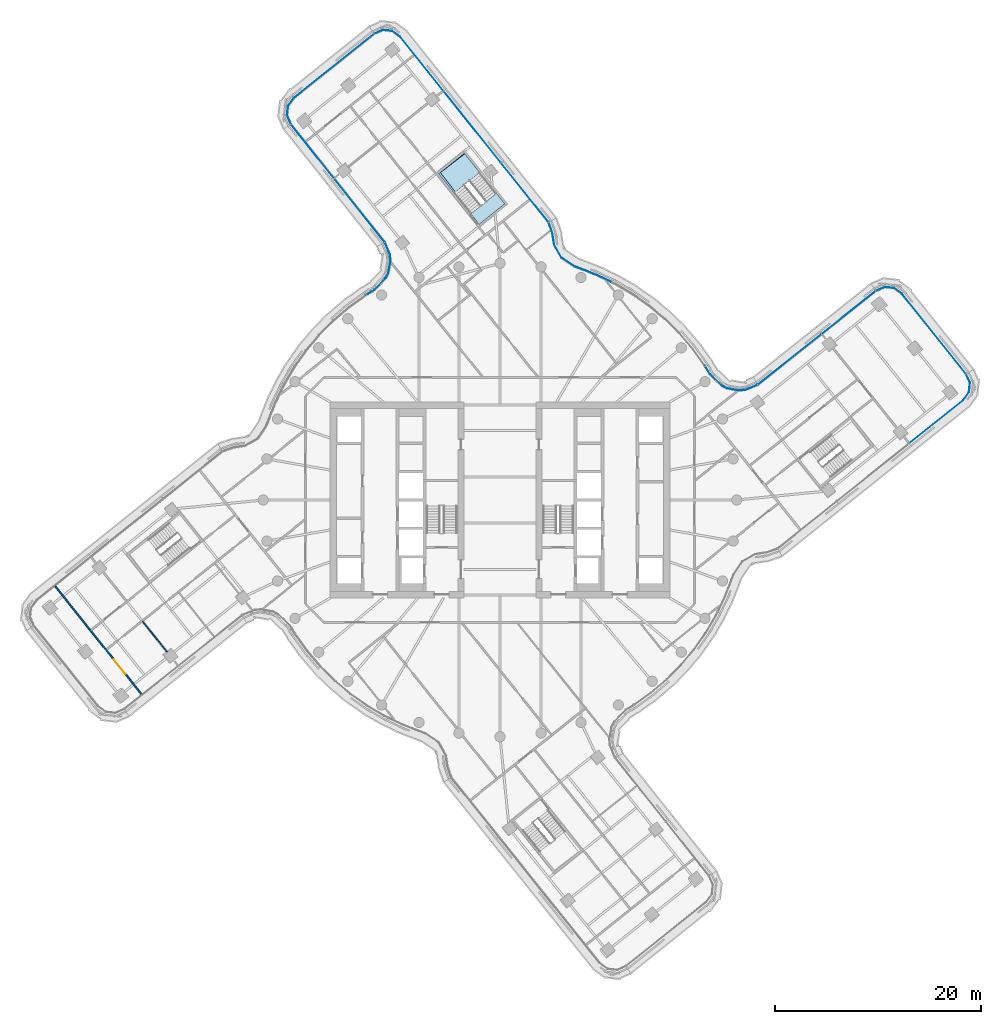
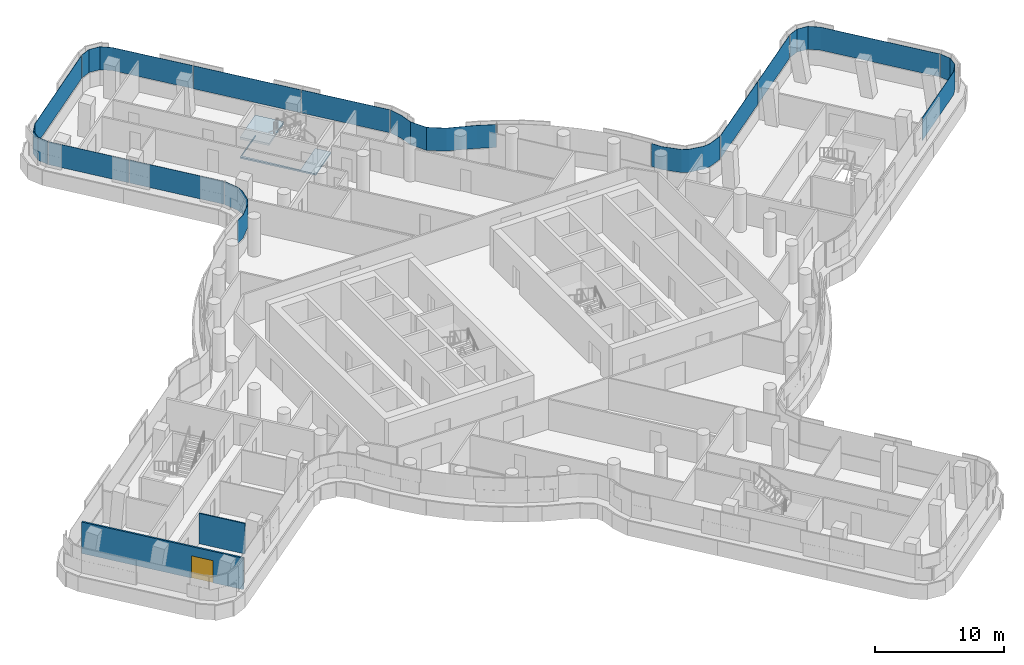
# One storey, part 18 of 31: 13 plates, 2 slabs, 2 walls, 1 door, 1 opening, 9 elements without a shape of their own.
"""IFC4 building model written with IfcOpenShell, lengths in metres."""

from ifc_helpers import new_model, si_unit, direction, frame, frame_2d, origin, place, context, subcontext, project, spatial, polyline, rectangle, outline, extrude, material, layer, layer_set, type_object, element, fill, aggregate, save


model = new_model("IFC4")

# Units and contexts
model_context = context("Model", 3, precision=1e-05, world=origin(), true_north=direction((0.0, 1.0)))
body_context = subcontext(model_context, "Body", "Model", "MODEL_VIEW")
ifc_project = project(units=[si_unit("LENGTHUNIT", "METRE"), si_unit("AREAUNIT", "SQUARE_METRE"), si_unit("VOLUMEUNIT", "CUBIC_METRE"), si_unit("PLANEANGLEUNIT", "RADIAN"), si_unit("MASSUNIT", "GRAM", prefix="KILO")], contexts=[model_context])

# Site, building, storey
site_placement = place(None, origin())
site = spatial("IfcSite", under=ifc_project, at=site_placement, CompositionType="ELEMENT")
building_placement = place(site_placement, origin())
building = spatial("IfcBuilding", under=site, at=building_placement, Name="Tamarind Cross Interchange Tower", CompositionType="ELEMENT")
storey_placement = place(building_placement, frame((0.0, 0.0, 174.25)))
storey = spatial("IfcBuildingStorey", under=building, at=storey_placement, Name="L43", CompositionType="ELEMENT", Elevation=174.25)

# Slab
ifc_material_1 = material(Name="Concrete C35", Category="concrete")
ifc_layer_1 = layer(ifc_material_1, 0.139892578125)
ifc_layer_set_1 = layer_set([ifc_layer_1], Name="Concrete C35")
slab_type_1 = type_object("IfcSlabType", Name="Composite slab 140 Concrete C35", PredefinedType="FLOOR", material=ifc_layer_set_1)
slab_1_placement = place(storey_placement, frame((0.0, 0.0, -0.139892578125)))
element("IfcSlab", 1, at=slab_1_placement, inside=storey, type_object=slab_type_1, Name="Floor slab L43", PredefinedType="FLOOR", context=body_context, shape_type="SweptSolid", body=[
    extrude(outline(polyline([(-5.78759765625, 31.805908203125), (-3.415283203125, 33.633544921875), (-3.466552734375, 33.697509765625), (-5.965576171875, 31.698486328125), (-2.030029296875, 26.779052734375), (0.46875, 28.77783203125), (-0.350830078125, 29.802490234375), (-2.759521484375, 27.87548828125), (-5.78759765625, 31.805908203125)])), origin(), (0.0, 0.0, 1.0), 0.139892578125),
])

# Stair, slab
ifc_material_2 = material(Name="Exit stair")
stair_type = type_object("IfcStairType", Name="Exit stair", PredefinedType="HALF_TURN_STAIR", material=ifc_material_2)
stair_placement = place(storey_placement, origin())
stair = element("IfcStair", 2, at=stair_placement, inside=storey, type_object=stair_type, Name="L43 exit stair ST4", PredefinedType="HALF_TURN_STAIR")
ifc_material_3 = material(Name="Concrete C40", Category="concrete")
ifc_layer_2 = layer(ifc_material_3, 0.199951171875)
ifc_layer_set_2 = layer_set([ifc_layer_2], Name="Concrete C40")
slab_type_2 = type_object("IfcSlabType", Name="Stair landing", PredefinedType="LANDING", material=ifc_layer_set_2)
slab_2_placement = place(storey_placement, frame((0.0, 0.0, 1.675048828125)))
slab_2 = element("IfcSlab", 3, at=slab_2_placement, type_object=slab_type_2, Name="ST4 landing 1", PredefinedType="LANDING", context=body_context, shape_type="SweptSolid", body=[
    extrude(outline(polyline([(-1.9599609375, 31.81396484375), (-3.466552734375, 33.697509765625), (-5.965576171875, 31.69873046875), (-4.458740234375, 29.815185546875), (-1.9599609375, 31.81396484375)])), origin(), (0.0, 0.0, 1.0), 0.199951171875),
])
aggregate(stair, [slab_2])

# Curtain wall, plate
ifc_material_4 = material(Name="Aluminium 6063-T6", Category="aluminium")
ifc_layer_3 = layer(ifc_material_4, 0.159912109375)
ifc_layer_set_3 = layer_set([ifc_layer_3], Name="Aluminium 6063-T6")
curtain_wall_type = type_object("IfcCurtainWallType", Name="Office curtain wall, 9.0 m bays", PredefinedType="NOTDEFINED", material=ifc_layer_set_3)
curtain_wall_1_placement = place(storey_placement, origin())
curtain_wall_1 = element("IfcCurtainWall", 4, at=curtain_wall_1_placement, inside=storey, type_object=curtain_wall_type, Name="CWS-L43-07", PredefinedType="NOTDEFINED")
ifc_material_5 = material(Name="Laminated low-e glass 8+1.52+8", Category="glass")
ifc_layer_4 = layer(ifc_material_5, 0.028076171875)
ifc_layer_set_4 = layer_set([ifc_layer_4], Name="Laminated low-e glass 8+1.52+8")
plate_type = type_object("IfcPlateType", Name="Vision panel CW1", PredefinedType="CURTAIN_PANEL", material=ifc_layer_set_4)
plate_1_placement = place(storey_placement, frame((0.0, 0.0, 1.39990234375)))
plate_1 = element("IfcPlate", 5, at=plate_1_placement, type_object=plate_type, Name="CWP-L43-07-02", PredefinedType="CURTAIN_PANEL", context=body_context, shape_type="SweptSolid", body=[
    extrude(outline(polyline([(39.764892578125, 5.520751953125), (44.984375, 9.696044921875), (45.547119140625, 10.4609375), (45.64892578125, 11.3759765625), (45.279052734375, 12.22021484375), (45.3046875, 12.2314453125), (45.677490234375, 11.38037109375), (45.57421875, 10.450439453125), (45.004638671875, 9.676513671875), (39.782470703125, 5.4990234375), (39.764892578125, 5.520751953125)])), origin(), (0.0, 0.0, 1.0), 2.170166015625),
])
aggregate(curtain_wall_1, [plate_1])

curtain_wall_2_placement = place(storey_placement, origin())
curtain_wall_2 = element("IfcCurtainWall", 6, at=curtain_wall_2_placement, inside=storey, type_object=curtain_wall_type, Name="CWS-L43-08", PredefinedType="NOTDEFINED")
plate_2_placement = place(storey_placement, frame((0.0, 0.0, 1.39990234375)))
plate_2 = element("IfcPlate", 7, at=plate_2_placement, type_object=plate_type, Name="CWP-L43-08-00", PredefinedType="CURTAIN_PANEL", context=body_context, shape_type="SweptSolid", body=[
    extrude(outline(polyline([(45.250244140625, 12.267822265625), (39.056396484375, 20.0107421875), (38.291259765625, 20.57373046875), (37.37646484375, 20.67529296875), (36.531982421875, 20.305419921875), (36.520751953125, 20.3310546875), (37.3720703125, 20.7041015625), (38.302001953125, 20.6005859375), (39.075927734375, 20.03125), (45.27197265625, 12.285400390625), (45.250244140625, 12.267822265625)])), origin(), (0.0, 0.0, 1.0), 2.170166015625),
])
aggregate(curtain_wall_2, [plate_2])

# Curtain wall, plates
curtain_wall_3_placement = place(storey_placement, origin())
curtain_wall_3 = element("IfcCurtainWall", 8, at=curtain_wall_3_placement, inside=storey, type_object=curtain_wall_type, Name="CWS-L43-09", PredefinedType="NOTDEFINED")
plate_3_placement = place(storey_placement, frame((0.0, 0.0, 1.39990234375)))
plate_3 = element("IfcPlate", 9, at=plate_3_placement, type_object=plate_type, Name="CWP-L43-09-00", PredefinedType="CURTAIN_PANEL", context=body_context, shape_type="SweptSolid", body=[
    extrude(outline(polyline([(36.484130859375, 20.276611328125), (31.2607421875, 16.121826171875), (31.243408203125, 16.1435546875), (36.466796875, 20.298583984375), (36.484130859375, 20.276611328125)])), origin(), (0.0, 0.0, 1.0), 2.170166015625),
])
plate_4_placement = place(storey_placement, frame((0.0, 0.0, 1.39990234375)))
plate_4 = element("IfcPlate", 10, at=plate_4_placement, type_object=plate_type, Name="CWP-L43-09-01", PredefinedType="CURTAIN_PANEL", context=body_context, shape_type="SweptSolid", body=[
    extrude(outline(polyline([(31.2138671875, 16.08447265625), (25.078857421875, 11.204345703125), (25.0615234375, 11.22607421875), (31.196533203125, 16.106201171875), (31.2138671875, 16.08447265625)])), origin(), (0.0, 0.0, 1.0), 2.170166015625),
])
aggregate(curtain_wall_3, [plate_3, plate_4])

curtain_wall_4_placement = place(storey_placement, origin())
curtain_wall_4 = element("IfcCurtainWall", 11, at=curtain_wall_4_placement, inside=storey, type_object=curtain_wall_type, Name="CWS-L43-10", PredefinedType="NOTDEFINED")
plate_5_placement = place(storey_placement, frame((0.0, 0.0, 1.39990234375)))
plate_5 = element("IfcPlate", 12, at=plate_5_placement, type_object=plate_type, Name="CWP-L43-10-00", PredefinedType="CURTAIN_PANEL", context=body_context, shape_type="SweptSolid", body=[
    extrude(outline(polyline([(25.0244140625, 11.172119140625), (23.8359375, 10.68359375), (23.227783203125, 10.619384765625), (22.0732421875, 10.82861328125), (21.52392578125, 11.103515625), (20.38330078125, 12.220458984375), (19.93603515625, 12.95654296875), (19.9599609375, 12.97119140625), (20.4052734375, 12.238037109375), (21.540283203125, 11.126708984375), (22.082275390625, 10.85546875), (23.228759765625, 10.647705078125), (23.828857421875, 10.711181640625), (25.013671875, 11.197998046875), (25.0244140625, 11.172119140625)])), origin(), (0.0, 0.0, 1.0), 2.170166015625),
])
plate_6_placement = place(storey_placement, frame((0.0, 0.0, 1.39990234375)))
plate_6 = element("IfcPlate", 13, at=plate_6_placement, type_object=plate_type, Name="CWP-L43-10-02", PredefinedType="CURTAIN_PANEL", context=body_context, shape_type="SweptSolid", body=[
    extrude(outline(polyline([(10.8193359375, 21.161865234375), (9.458740234375, 21.81982421875), (7.8134765625, 22.4619140625), (7.25, 22.66796875), (5.96142578125, 23.53466796875), (5.25634765625, 24.799560546875), (5.072265625, 25.95068359375), (4.718505859375, 26.9501953125), (4.7451171875, 26.95947265625), (5.099365234375, 25.95751953125), (5.283203125, 24.808837890625), (5.982666015625, 23.553955078125), (7.2626953125, 22.693115234375), (7.8232421875, 22.488037109375), (9.469970703125, 21.845458984375), (10.83154296875, 21.187255859375), (10.8193359375, 21.161865234375)])), origin(), (0.0, 0.0, 1.0), 2.170166015625),
])
aggregate(curtain_wall_4, [plate_5, plate_6])

curtain_wall_5_placement = place(storey_placement, origin())
curtain_wall_5 = element("IfcCurtainWall", 14, at=curtain_wall_5_placement, inside=storey, type_object=curtain_wall_type, Name="CWS-L43-11", PredefinedType="NOTDEFINED")
plate_7_placement = place(storey_placement, frame((0.0, 0.0, 1.39990234375)))
plate_7 = element("IfcPlate", 15, at=plate_7_placement, type_object=plate_type, Name="CWP-L43-11-00", PredefinedType="CURTAIN_PANEL", context=body_context, shape_type="SweptSolid", body=[
    extrude(outline(polyline([(4.692138671875, 26.997802734375), (0.1240234375, 32.708251953125), (0.14599609375, 32.725830078125), (4.714111328125, 27.015380859375), (4.692138671875, 26.997802734375)])), origin(), (0.0, 0.0, 1.0), 2.170166015625),
])
plate_8_placement = place(storey_placement, frame((0.0, 0.0, 1.39990234375)))
plate_8 = element("IfcPlate", 16, at=plate_8_placement, type_object=plate_type, Name="CWP-L43-11-01", PredefinedType="CURTAIN_PANEL", context=body_context, shape_type="SweptSolid", body=[
    extrude(outline(polyline([(0.086669921875, 32.755126953125), (-5.4833984375, 39.718017578125), (-5.46142578125, 39.735595703125), (0.1083984375, 32.772705078125), (0.086669921875, 32.755126953125)])), origin(), (0.0, 0.0, 1.0), 2.170166015625),
])
plate_9_placement = place(storey_placement, frame((0.0, 0.0, 1.39990234375)))
plate_9 = element("IfcPlate", 17, at=plate_9_placement, type_object=plate_type, Name="CWP-L43-11-02", PredefinedType="CURTAIN_PANEL", context=body_context, shape_type="SweptSolid", body=[
    extrude(outline(polyline([(-5.520751953125, 39.764892578125), (-9.696044921875, 44.984375), (-10.4609375, 45.547119140625), (-11.3759765625, 45.64892578125), (-12.22021484375, 45.279052734375), (-12.2314453125, 45.3046875), (-11.38037109375, 45.677490234375), (-10.450439453125, 45.57421875), (-9.676513671875, 45.004638671875), (-5.4990234375, 39.782470703125), (-5.520751953125, 39.764892578125)])), origin(), (0.0, 0.0, 1.0), 2.170166015625),
])
aggregate(curtain_wall_5, [plate_7, plate_8, plate_9])

# Curtain wall, plate
curtain_wall_6_placement = place(storey_placement, origin())
curtain_wall_6 = element("IfcCurtainWall", 18, at=curtain_wall_6_placement, inside=storey, type_object=curtain_wall_type, Name="CWS-L43-12", PredefinedType="NOTDEFINED")
plate_10_placement = place(storey_placement, frame((0.0, 0.0, 1.39990234375)))
plate_10 = element("IfcPlate", 19, at=plate_10_placement, type_object=plate_type, Name="CWP-L43-12-00", PredefinedType="CURTAIN_PANEL", context=body_context, shape_type="SweptSolid", body=[
    extrude(outline(polyline([(-12.267822265625, 45.250244140625), (-20.0107421875, 39.056396484375), (-20.57373046875, 38.291259765625), (-20.67529296875, 37.37646484375), (-20.305419921875, 36.531982421875), (-20.3310546875, 36.520751953125), (-20.7041015625, 37.3720703125), (-20.6005859375, 38.302001953125), (-20.03125, 39.075927734375), (-12.285400390625, 45.27197265625), (-12.267822265625, 45.250244140625)])), origin(), (0.0, 0.0, 1.0), 2.170166015625),
])
aggregate(curtain_wall_6, [plate_10])

# Curtain wall, plates
curtain_wall_7_placement = place(storey_placement, origin())
curtain_wall_7 = element("IfcCurtainWall", 20, at=curtain_wall_7_placement, inside=storey, type_object=curtain_wall_type, Name="CWS-L43-13", PredefinedType="NOTDEFINED")
plate_11_placement = place(storey_placement, frame((0.0, 0.0, 1.39990234375)))
plate_11 = element("IfcPlate", 21, at=plate_11_placement, type_object=plate_type, Name="CWP-L43-13-00", PredefinedType="CURTAIN_PANEL", context=body_context, shape_type="SweptSolid", body=[
    extrude(outline(polyline([(-20.276611328125, 36.484130859375), (-16.121826171875, 31.2607421875), (-16.1435546875, 31.243408203125), (-20.298583984375, 36.466796875), (-20.276611328125, 36.484130859375)])), origin(), (0.0, 0.0, 1.0), 2.170166015625),
])
plate_12_placement = place(storey_placement, frame((0.0, 0.0, 1.39990234375)))
plate_12 = element("IfcPlate", 22, at=plate_12_placement, type_object=plate_type, Name="CWP-L43-13-01", PredefinedType="CURTAIN_PANEL", context=body_context, shape_type="SweptSolid", body=[
    extrude(outline(polyline([(-16.08447265625, 31.2138671875), (-11.204345703125, 25.078857421875), (-11.22607421875, 25.0615234375), (-16.106201171875, 31.196533203125), (-16.08447265625, 31.2138671875)])), origin(), (0.0, 0.0, 1.0), 2.170166015625),
])
aggregate(curtain_wall_7, [plate_11, plate_12])

# Curtain wall, plate
curtain_wall_8_placement = place(storey_placement, origin())
curtain_wall_8 = element("IfcCurtainWall", 23, at=curtain_wall_8_placement, inside=storey, type_object=curtain_wall_type, Name="CWS-L43-14", PredefinedType="NOTDEFINED")
plate_13_placement = place(storey_placement, frame((0.0, 0.0, 1.39990234375)))
plate_13 = element("IfcPlate", 24, at=plate_13_placement, type_object=plate_type, Name="CWP-L43-14-00", PredefinedType="CURTAIN_PANEL", context=body_context, shape_type="SweptSolid", body=[
    extrude(outline(polyline([(-11.172119140625, 25.0244140625), (-10.68359375, 23.8359375), (-10.619384765625, 23.227783203125), (-10.82861328125, 22.0732421875), (-11.103515625, 21.52392578125), (-12.220458984375, 20.38330078125), (-12.95654296875, 19.93603515625), (-12.97119140625, 19.9599609375), (-12.238037109375, 20.4052734375), (-11.126708984375, 21.540283203125), (-10.85546875, 22.082275390625), (-10.647705078125, 23.228759765625), (-10.711181640625, 23.828857421875), (-11.197998046875, 25.013671875), (-11.172119140625, 25.0244140625)])), origin(), (0.0, 0.0, 1.0), 2.170166015625),
])
aggregate(curtain_wall_8, [plate_13])

# Wall
ifc_material_6 = material(Name="Gypsum board partition on steel studs", Category="steel")
ifc_layer_5 = layer(ifc_material_6, 0.10009765625)
ifc_layer_set_5 = layer_set([ifc_layer_5], Name="Gypsum board partition on steel studs")
wall_type_1 = type_object("IfcWallType", Name="Partition 100 mm EI 90", PredefinedType="PARTITIONING", material=ifc_layer_set_5)
wall_1_placement = place(storey_placement, frame((-34.712890625, -11.802490234375, 0.0), z_axis=(0.0, 0.0, 1.0), x_axis=(0.624679356304, -0.780881362185, 0.0)))
element("IfcWall", 25, at=wall_1_placement, inside=storey, type_object=wall_type_1, Name="Partition L43-004", PredefinedType="PARTITIONING", context=body_context, shape_type="SweptSolid", body=[
    extrude(rectangle(XDim=3.794921875, YDim=0.10009765625, at=frame_2d((1.8974609375, 0.0))), origin(), (0.0, 0.0, 1.0), 2.8701171875),
])

# Wall, opening, door
ifc_layer_6 = layer(ifc_material_6, 0.14990234375)
ifc_layer_set_6 = layer_set([ifc_layer_6], Name="Gypsum board partition on steel studs")
wall_type_2 = type_object("IfcWallType", Name="Partition 150 mm EI 120", PredefinedType="PARTITIONING", material=ifc_layer_set_6)
wall_2_placement = place(storey_placement, frame((-43.20849609375, -8.38671875, 0.0), z_axis=(0.0, 0.0, 1.0), x_axis=(0.624719480565, -0.780849262407, 0.0)))
wall_2 = element("IfcWall", 26, at=wall_2_placement, inside=storey, type_object=wall_type_2, Name="Partition L43-001", PredefinedType="PARTITIONING", context=body_context, shape_type="SweptSolid", body=[
    extrude(rectangle(XDim=13.404052734375, YDim=0.14990234375, at=frame_2d((6.7021484375, 0.0))), origin(), (0.0, 0.0, 1.0), 2.969970703125),
])
opening_placement = place(wall_2_placement, frame((9.09912109375, 0.0, 0.0)))
opening = element("IfcOpeningElement", 27, at=opening_placement, cuts=wall_2, Name="Opening D01", PredefinedType="OPENING", context=body_context, shape_type="SweptSolid", body=[
    extrude(rectangle(XDim=1.800048828125, YDim=2.10009765625, at=frame_2d((0.89990234375, 1.050048828125))), frame((0.0, 0.0849609375, 0.0), z_axis=(0.0, -1.0, 0.0), x_axis=(1.0, 0.0, 0.0)), (0.0, 0.0, 1.0), 0.169921875),
])
ifc_material_7 = material(Name="Fire-resisting door set")
door_type = type_object("IfcDoorType", Name="Interior door 1800 x 2100 FD60S", OperationType="DOUBLE_DOOR_SINGLE_SWING", PredefinedType="DOOR", material=ifc_material_7)
door_placement = place(opening_placement, frame((1.800048828125, 0.0, 0.0), z_axis=(0.0, 0.0, 1.0), x_axis=(-1.0, 0.0, 0.0)))
door = element("IfcDoor", 28, at=door_placement, inside=storey, type_object=door_type, Name="Door D01", OperationType="DOUBLE_DOOR_SINGLE_SWING", OverallHeight=2.10009765625, OverallWidth=1.800048828125, PredefinedType="DOOR", context=body_context, shape_type="SweptSolid", body=[
    extrude(rectangle(XDim=1.800048828125, YDim=2.10009765625, at=frame_2d((0.89990234375, 1.050048828125))), frame((0.0, 0.02490234375, 0.0), z_axis=(0.0, -1.0, 0.0), x_axis=(1.0, 0.0, 0.0)), (0.0, 0.0, 1.0), 0.050048828125),
])
fill(opening, door)

save(model, "model.ifc")
